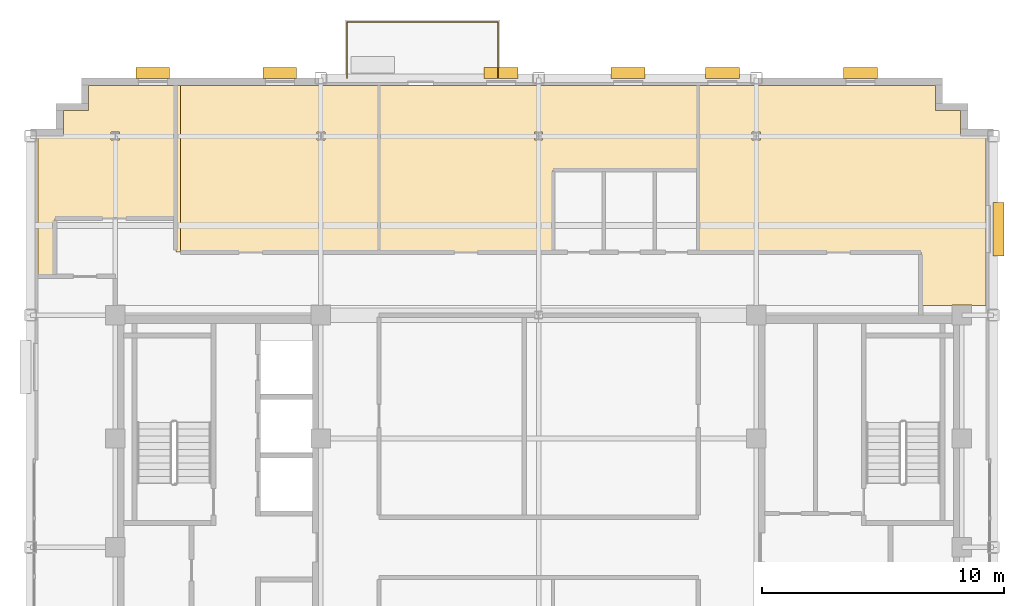
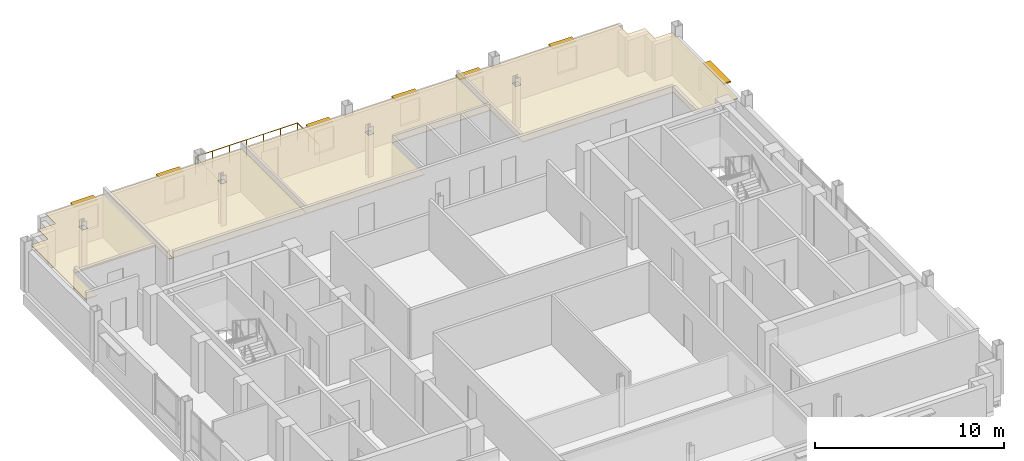
# One storey, part 16 of 16: 7 shading devices, 4 coverings, 1 railing.
"""IFC4 building model written with IfcOpenShell, lengths in metres."""

from ifc_helpers import new_model, si_unit, direction, frame, origin, origin_2d, place, context, subcontext, project, spatial, polyline, rectangle, circle, outline, extrude, source, transform, mapped, material, layer, layer_set, type_object, type_shapes, element, save


model = new_model("IFC4")

# Units and contexts
model_context = context("Model", 3, precision=1e-05, world=origin(), true_north=direction((0.0, 1.0)))
body_context = subcontext(model_context, "Body", "Model", "MODEL_VIEW")
ifc_project = project(units=[si_unit("LENGTHUNIT", "METRE"), si_unit("AREAUNIT", "SQUARE_METRE"), si_unit("VOLUMEUNIT", "CUBIC_METRE"), si_unit("PLANEANGLEUNIT", "RADIAN"), si_unit("MASSUNIT", "GRAM", prefix="KILO")], contexts=[model_context])

# Site, building, storey
site_placement = place(None, origin())
site = spatial("IfcSite", under=ifc_project, at=site_placement, CompositionType="ELEMENT")
building_placement = place(site_placement, origin())
building = spatial("IfcBuilding", under=site, at=building_placement, Name="Nuvemarco Arch Tower", CompositionType="ELEMENT")
storey_placement = place(building_placement, frame((0.0, 0.0, 249.300048828125)))
storey = spatial("IfcBuildingStorey", under=building, at=storey_placement, Name="L66", CompositionType="ELEMENT", Elevation=249.300048828125)

# Coverings
ifc_material_1 = material(Name="Mineral acoustic ceiling tile")
ifc_layer = layer(ifc_material_1, 0.0400390625, Name="COV-ACOUSTIC-CLG")
ifc_layer_set = layer_set([ifc_layer], Name="Mineral acoustic ceiling tile")
covering_type = type_object("IfcCoveringType", Name="COV-ACOUSTIC-CLG", PredefinedType="CEILING", material=ifc_layer_set)
covering_1_placement = place(storey_placement, frame((0.0, 0.0, 2.72998046875)))
element("IfcCovering", 1, at=covering_1_placement, inside=storey, type_object=covering_type, Name="L66 suspended acoustic ceiling 1", PredefinedType="CEILING", context=body_context, shape_type="SweptSolid", body=[
    extrude(outline(polyline([(18.5, 17.0), (18.5, 10.0), (17.9150390625, 10.0), (17.9150390625, 10.014892578125), (17.0849609375, 10.014892578125), (17.0849609375, 10.0), (15.800048828125, 10.0), (15.800048828125, 12.199951171875), (9.0, 12.199951171875), (6.60009765625, 12.199951171875), (6.60009765625, 15.60009765625), (6.60009765625, 19.10009765625), (16.39990234375, 19.10009765625), (16.39990234375, 18.050048828125), (17.449951171875, 18.050048828125), (17.449951171875, 17.0), (18.5, 17.0)]), holes=[polyline([(9.169921875, 17.169921875), (8.830078125, 17.169921875), (8.830078125, 16.830078125), (9.169921875, 16.830078125), (9.169921875, 17.169921875)])]), origin(), (0.0, 0.0, 1.0), 0.0400390625),
])
covering_2_placement = place(storey_placement, frame((0.0, 0.0, 2.72998046875)))
element("IfcCovering", 2, at=covering_2_placement, inside=storey, type_object=covering_type, Name="L66 suspended acoustic ceiling 2", PredefinedType="CEILING", context=body_context, shape_type="SweptSolid", body=[
    extrude(outline(polyline([(-6.60009765625, 12.199951171875), (-6.60009765625, 19.10009765625), (6.60009765625, 19.10009765625), (6.60009765625, 15.60009765625), (4.800048828125, 15.60009765625), (2.699951171875, 15.60009765625), (0.60009765625, 15.60009765625), (0.60009765625, 12.199951171875), (-6.60009765625, 12.199951171875)]), holes=[polyline([(0.169921875, 16.830078125), (0.169921875, 17.169921875), (-0.169921875, 17.169921875), (-0.169921875, 16.830078125), (0.169921875, 16.830078125)])]), origin(), (0.0, 0.0, 1.0), 0.0400390625),
])
covering_3_placement = place(storey_placement, frame((0.0, 0.0, 2.72998046875)))
element("IfcCovering", 3, at=covering_3_placement, inside=storey, type_object=covering_type, Name="L66 suspended acoustic ceiling 5", PredefinedType="CEILING", context=body_context, shape_type="SweptSolid", body=[
    extrude(outline(polyline([(-6.60009765625, 12.199951171875), (-9.0, 12.199951171875), (-14.800048828125, 12.199951171875), (-14.800048828125, 19.10009765625), (-6.60009765625, 19.10009765625), (-6.60009765625, 12.199951171875)]), holes=[polyline([(-8.830078125, 17.169921875), (-9.169921875, 17.169921875), (-9.169921875, 16.830078125), (-8.830078125, 16.830078125), (-8.830078125, 17.169921875)])]), origin(), (0.0, 0.0, 1.0), 0.0400390625),
])
covering_4_placement = place(storey_placement, frame((0.0, 0.0, 2.72998046875)))
element("IfcCovering", 4, at=covering_4_placement, inside=storey, type_object=covering_type, Name="L66 suspended acoustic ceiling 8", PredefinedType="CEILING", context=body_context, shape_type="SweptSolid", body=[
    extrude(outline(polyline([(-20.699951171875, 11.199951171875), (-20.699951171875, 17.0), (-19.64990234375, 17.0), (-19.64990234375, 18.050048828125), (-18.60009765625, 18.050048828125), (-18.60009765625, 19.10009765625), (-14.800048828125, 19.10009765625), (-14.800048828125, 12.199951171875), (-15.0, 12.199951171875), (-15.0, 13.60009765625), (-20.0, 13.60009765625), (-20.0, 11.199951171875), (-20.699951171875, 11.199951171875)]), holes=[polyline([(-17.330078125, 17.169921875), (-17.669921875, 17.169921875), (-17.669921875, 16.830078125), (-17.330078125, 16.830078125), (-17.330078125, 17.169921875)])]), origin(), (0.0, 0.0, 1.0), 0.0400390625),
])

# Railing
ifc_material_2 = material(Name="Dark anodised balustrade steel S355", Category="steel")
railing_type = type_object("IfcRailingType", Name="RL-TERR-GUARD", PredefinedType="BALUSTRADE", material=ifc_material_2)
railing_placement = place(storey_placement, frame((-7.919921875, 19.39990234375, 0.0)))
element("IfcRailing", 5, at=railing_placement, inside=storey, type_object=railing_type, Name="L66 spiral terrace perimeter balustrade guard", PredefinedType="BALUSTRADE", context=body_context, shape_type="SweptSolid", body=[
    extrude(circle(Radius=0.02392578125, at=origin_2d()), frame((0.0, 0.0, 1.1259765625), z_axis=(0.0, 1.0, 0.0), x_axis=(-1.0, 0.0, 0.0)), (0.0, 0.0, 1.0), 2.320068359375),
    extrude(circle(Radius=0.02392578125, at=origin_2d()), frame((0.0, 2.320068359375, 1.1259765625), z_axis=(1.0, 0.0, 0.0), x_axis=(0.0, 1.0, 0.0)), (0.0, 0.0, 1.0), 6.239990234375),
    extrude(circle(Radius=0.02392578125, at=origin_2d()), frame((6.239990234375, 2.320068359375, 1.1259765625), z_axis=(0.0, -1.0, 0.0), x_axis=(1.0, 0.0, 0.0)), (0.0, 0.0, 1.0), 2.320068359375),
    extrude(circle(Radius=0.02099609375, at=origin_2d()), origin(), (0.0, 0.0, 1.0), 1.101806640625),
    extrude(circle(Radius=0.02099609375, at=origin_2d()), frame((0.0, 1.16015625, 0.0)), (0.0, 0.0, 1.0), 1.101806640625),
    extrude(circle(Radius=0.02099609375, at=origin_2d()), frame((0.0, 2.320068359375, 0.0)), (0.0, 0.0, 1.0), 1.101806640625),
    extrude(circle(Radius=0.02099609375, at=origin_2d()), frame((1.0400390625, 2.320068359375, 0.0)), (0.0, 0.0, 1.0), 1.101806640625),
    extrude(circle(Radius=0.02099609375, at=origin_2d()), frame((2.080078125, 2.320068359375, 0.0)), (0.0, 0.0, 1.0), 1.101806640625),
    extrude(circle(Radius=0.02099609375, at=origin_2d()), frame((3.1201171875, 2.320068359375, 0.0)), (0.0, 0.0, 1.0), 1.101806640625),
    extrude(circle(Radius=0.02099609375, at=origin_2d()), frame((4.159912109375, 2.320068359375, 0.0)), (0.0, 0.0, 1.0), 1.101806640625),
    extrude(circle(Radius=0.02099609375, at=origin_2d()), frame((5.199951171875, 2.320068359375, 0.0)), (0.0, 0.0, 1.0), 1.101806640625),
    extrude(circle(Radius=0.02099609375, at=origin_2d()), frame((6.239990234375, 2.320068359375, 0.0)), (0.0, 0.0, 1.0), 1.101806640625),
    extrude(circle(Radius=0.02099609375, at=origin_2d()), frame((6.239990234375, 1.16015625, 0.0)), (0.0, 0.0, 1.0), 1.101806640625),
    extrude(circle(Radius=0.02099609375, at=origin_2d()), frame((6.239990234375, 0.0, 0.0)), (0.0, 0.0, 1.0), 1.101806640625),
])

# Shading devices
ifc_material_3 = material(Name="Anodised aluminium 6063-T6", Category="aluminium")
shading_device_type_1 = type_object("IfcShadingDeviceType", Name="SHD-BRISE-SOLEIL", PredefinedType="USERDEFINED", material=ifc_material_3)
shared_shape_1 = source(origin(), body_context, "Body", "SweptSolid", [
    extrude(rectangle(XDim=2.199951171875, YDim=0.449951171875, at=origin_2d()), origin(), (0.0, 0.0, 1.0), 0.080078125),
])
type_shapes(shading_device_type_1, [shared_shape_1])
shading_device_placement = place(storey_placement, frame((19.014892578125, 13.153076171875, 2.284912109375), z_axis=(0.0, 0.0, 1.0), x_axis=(0.0, 1.0, 0.0)))
element("IfcShadingDevice", 6, at=shading_device_placement, inside=storey, type_object=shading_device_type_1, Name="L66 horizontal brise-soleil sunshade", ObjectType="SUNSHADE", PredefinedType="USERDEFINED", context=body_context, shape_type="MappedRepresentation", body=[
    mapped(shared_shape_1, transform((0.0, 0.0, 0.0), scale=1.0)),
])
shading_device_type_2 = type_object("IfcShadingDeviceType", Name="SHD-BRISE-NARROW", PredefinedType="USERDEFINED", material=ifc_material_3)
shared_shape_2 = source(origin(), body_context, "Body", "SweptSolid", [
    extrude(rectangle(XDim=1.39990234375, YDim=0.449951171875, at=origin_2d()), origin(), (0.0, 0.0, 1.0), 0.080078125),
])
type_shapes(shading_device_type_2, [shared_shape_2])
for number, where, z_axis, x_axis, name in (
    (7, (-15.949951171875, 19.614990234375, 2.284912109375), (0.0, 0.0, 1.0), (1.0, 0.0, 0.0), "L66 horizontal brise-soleil sunshade"),
    (8, (-10.699951171875, 19.614990234375, 2.284912109375), (0.0, 0.0, 1.0), (1.0, 0.0, 0.0), "L66 horizontal brise-soleil sunshade"),
    (9, (-1.550048828125, 19.614990234375, 2.284912109375), (0.0, 0.0, 1.0), (1.0, 0.0, 0.0), "L66 horizontal brise-soleil sunshade"),
    (10, (3.699951171875, 19.614990234375, 2.284912109375), (0.0, 0.0, 1.0), (1.0, 0.0, 0.0), "L66 horizontal brise-soleil sunshade"),
    (11, (7.60009765625, 19.614990234375, 2.284912109375), (0.0, 0.0, 1.0), (1.0, 0.0, 0.0), "L66 horizontal brise-soleil sunshade"),
    (12, (13.300048828125, 19.614990234375, 2.284912109375), (0.0, 0.0, 1.0), (1.0, 0.0, 0.0), "L66 horizontal brise-soleil sunshade"),
):
    element("IfcShadingDevice", number, at=place(storey_placement, frame(where, z_axis=z_axis, x_axis=x_axis)), inside=storey, type_object=shading_device_type_2, Name=name, ObjectType="SUNSHADE", PredefinedType="USERDEFINED", context=body_context, shape_type="MappedRepresentation", body=[
        mapped(shared_shape_2, transform((0.0, 0.0, 0.0), scale=1.0)),
    ])

save(model, "model.ifc")
